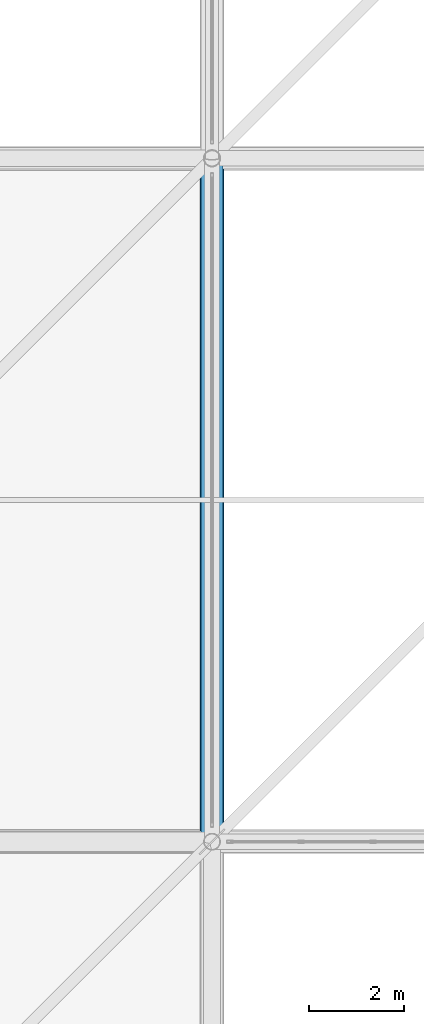
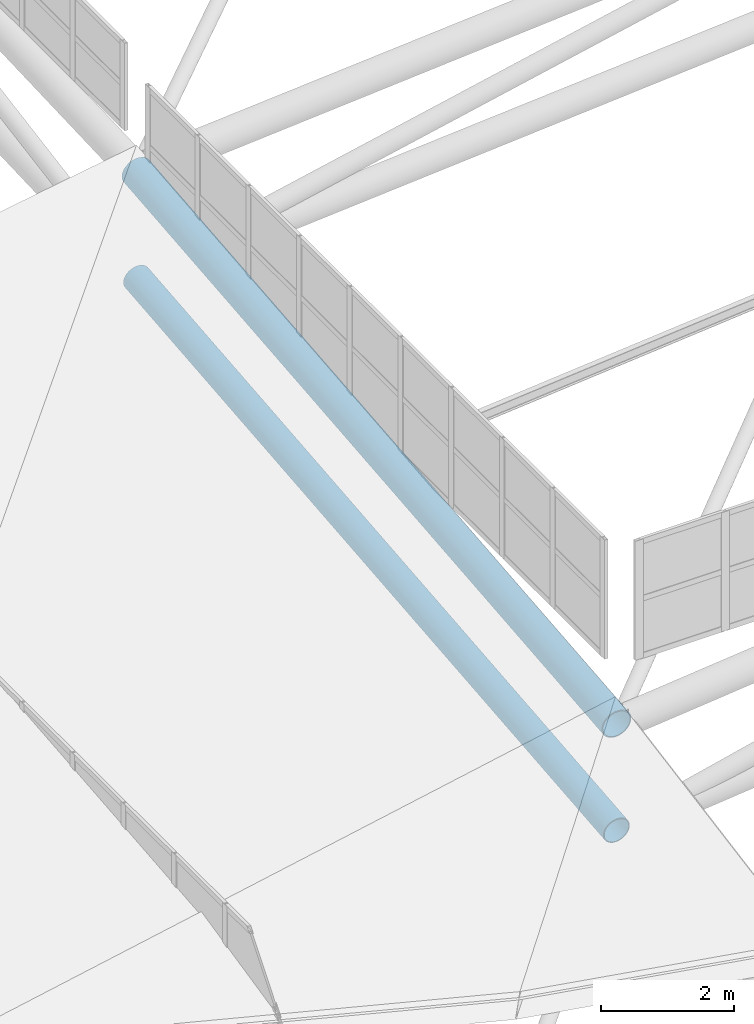
# One storey, part 55 of 397: 2 beams.
"""IFC4 building model written with IfcOpenShell, lengths in metres."""

from ifc_helpers import new_model, si_unit, direction, frame, origin, origin_2d, place, context, subcontext, project, spatial, hollow_circle, extrude, material, material_profile, profile_set, type_object, element, save


model = new_model("IFC4")

# Units and contexts
model_context = context("Model", 3, precision=1e-05, world=origin(), true_north=direction((0.0, 1.0)))
body_context = subcontext(model_context, "Body", "Model", "MODEL_VIEW")
ifc_project = project(units=[si_unit("LENGTHUNIT", "METRE"), si_unit("AREAUNIT", "SQUARE_METRE"), si_unit("VOLUMEUNIT", "CUBIC_METRE"), si_unit("PLANEANGLEUNIT", "RADIAN"), si_unit("MASSUNIT", "GRAM", prefix="KILO")], contexts=[model_context])

# Site, building, storey
site_placement = place(None, origin())
site = spatial("IfcSite", under=ifc_project, at=site_placement, CompositionType="ELEMENT")
building_placement = place(site_placement, origin())
building = spatial("IfcBuilding", under=site, at=building_placement, Name="Qandorah Velis Arena", CompositionType="ELEMENT")
storey_placement = place(building_placement, frame((0.0, 0.0, 27.5)))
storey = spatial("IfcBuildingStorey", under=building, at=storey_placement, Name="RF", CompositionType="ELEMENT", Elevation=27.5)

# Beams
ifc_material = material(Name="Steel S355", Category="steel")
ifc_material_profile_1 = material_profile(ifc_material, hollow_circle(Radius=0.228515625, WallThickness=0.01611328125, at=origin_2d()), Name="CHS 457x16")
ifc_profile_set_1 = profile_set([ifc_material_profile_1], Name="Steel S355")
beam_type_1 = type_object("IfcBeamType", Name="STR-SFC-CHS457X16", PredefinedType="USERDEFINED", material=ifc_profile_set_1)
beam_1_placement = place(storey_placement, frame((28.800048828125, 28.800048828125, 5.515380859375), z_axis=(0.0, 0.99535799561, 0.096241677952), x_axis=(-1.0, 0.0, 0.0)))
element("IfcBeam", 1, at=beam_1_placement, inside=storey, type_object=beam_type_1, Name="Space frame roof truss bottom chord Y 1.1", ObjectType="ROOF TRUSS", PredefinedType="USERDEFINED", context=body_context, shape_type="SweptSolid", body=[
    extrude(hollow_circle(Radius=0.228515625, WallThickness=0.01611328125, at=origin_2d()), origin(), (0.0, 0.0, 1.0), 14.467041015625),
])
ifc_material_profile_2 = material_profile(ifc_material, hollow_circle(Radius=0.25390625, WallThickness=0.02001953125, at=origin_2d()), Name="CHS 508x20")
ifc_profile_set_2 = profile_set([ifc_material_profile_2], Name="Steel S355")
beam_type_2 = type_object("IfcBeamType", Name="STR-SFC-CHS508X20", PredefinedType="USERDEFINED", material=ifc_profile_set_2)
beam_2_placement = place(storey_placement, frame((28.800048828125, 28.800048828125, 7.46533203125), z_axis=(0.0, 0.99535799561, 0.096241677952), x_axis=(-1.0, 0.0, 0.0)))
element("IfcBeam", 2, at=beam_2_placement, inside=storey, type_object=beam_type_2, Name="Space frame roof truss top chord Y 1.1", ObjectType="ROOF TRUSS", PredefinedType="USERDEFINED", context=body_context, shape_type="SweptSolid", body=[
    extrude(hollow_circle(Radius=0.25390625, WallThickness=0.02001953125, at=origin_2d()), origin(), (0.0, 0.0, 1.0), 14.467041015625),
])

save(model, "model.ifc")
